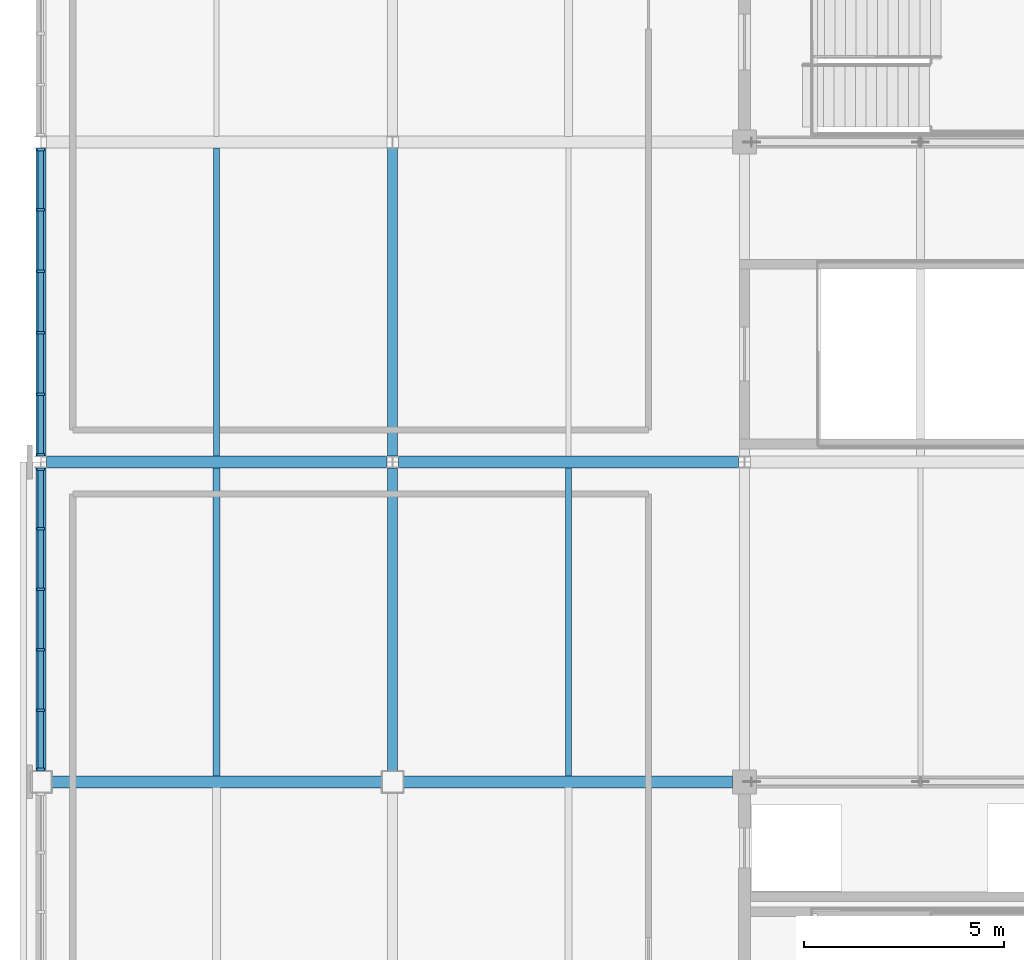
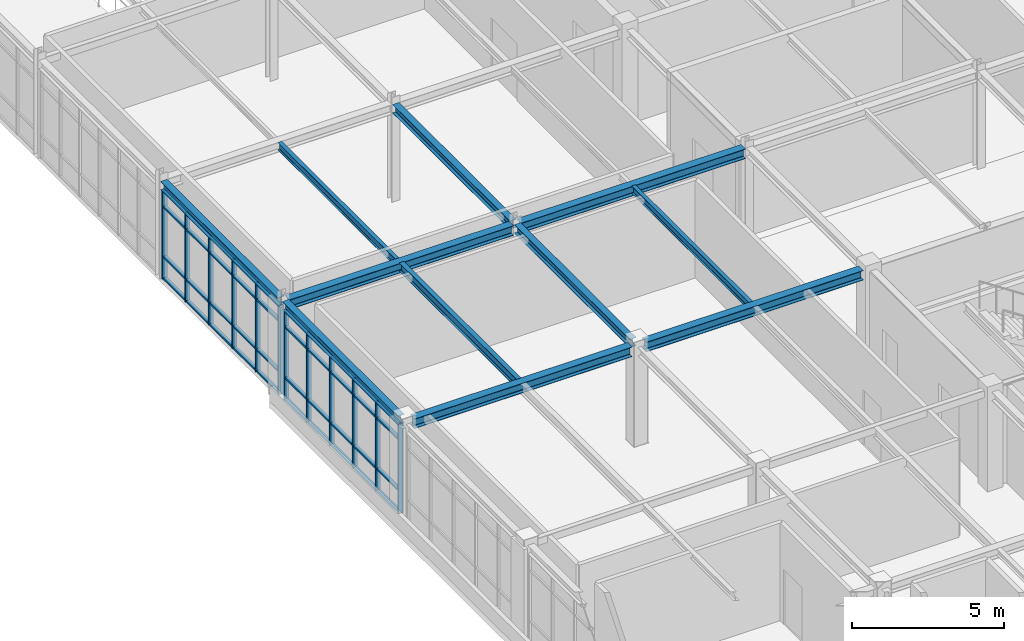
# One storey, part 26 of 88: 52 members, 11 beams, 2 elements without a shape of their own.
"""IFC4 building model written with IfcOpenShell, lengths in metres."""

from ifc_helpers import new_model, si_unit, direction, frame, origin, origin_2d, place, context, subcontext, project, spatial, rectangle, i_section, extrude, material, material_profile, profile_set, type_object, element, aggregate, save


model = new_model("IFC4")

# Units and contexts
model_context = context("Model", 3, precision=1e-05, world=origin(), true_north=direction((0.0, 1.0)))
body_context = subcontext(model_context, "Body", "Model", "MODEL_VIEW")
ifc_project = project(units=[si_unit("LENGTHUNIT", "METRE"), si_unit("AREAUNIT", "SQUARE_METRE"), si_unit("VOLUMEUNIT", "CUBIC_METRE"), si_unit("PLANEANGLEUNIT", "RADIAN"), si_unit("MASSUNIT", "GRAM", prefix="KILO")], contexts=[model_context])

# Site, building, storey
site_placement = place(None, origin())
site = spatial("IfcSite", under=ifc_project, at=site_placement, CompositionType="ELEMENT")
building_placement = place(site_placement, origin())
building = spatial("IfcBuilding", under=site, at=building_placement, Name="Zhaolan Boulevard Law Courts", CompositionType="ELEMENT")
storey_placement = place(building_placement, frame((0.0, 0.0, 16.199951171875)))
storey = spatial("IfcBuildingStorey", under=building, at=storey_placement, Name="L03", CompositionType="ELEMENT", Elevation=16.199951171875)

# Curtain wall, members
ifc_material_1 = material(Name="Thermally broken aluminium and low-E glazing", Category="aluminium")
curtain_wall_type_1 = type_object("IfcCurtainWallType", Name="CURTAIN WALL M3", PredefinedType="USERDEFINED", material=ifc_material_1)
curtain_wall_1_placement = place(storey_placement, origin())
curtain_wall_1 = element("IfcCurtainWall", 1, at=curtain_wall_1_placement, inside=storey, type_object=curtain_wall_type_1, Name="Curtain Wall CW-L03-123", ObjectType="CURTAIN WALL", PredefinedType="USERDEFINED")
ifc_material_2 = material(Name="Fluorocarbon-coated aluminium 6063-T6", Category="aluminium")
ifc_material_profile_1 = material_profile(ifc_material_2, rectangle(XDim=0.179931640625, YDim=0.06494140625, at=origin_2d()), Name="AL65x180")
ifc_profile_set_1 = profile_set([ifc_material_profile_1], Name="Fluorocarbon-coated aluminium 6063-T6")
member_type_1 = type_object("IfcMemberType", Name="CWMULLION 65X180", PredefinedType="MULLION", material=ifc_profile_set_1)
member_1_placement = place(storey_placement, frame((0.0, 85.8154296875, 0.0), z_axis=(0.0, 0.0, 1.0), x_axis=(1.0, 0.0, 0.0)))
member_1 = element("IfcMember", 2, at=member_1_placement, type_object=member_type_1, Name="CW-L03-123 mullion 1", PredefinedType="MULLION", context=body_context, shape_type="SweptSolid", body=[
    extrude(rectangle(XDim=0.179931640625, YDim=0.06494140625, at=origin_2d()), origin(), (0.0, 0.0, 1.0), 3.56298828125),
])
member_2_placement = place(storey_placement, frame((0.0, 84.308837890625, 0.0), z_axis=(0.0, 0.0, 1.0), x_axis=(1.0, 0.0, 0.0)))
member_2 = element("IfcMember", 3, at=member_2_placement, type_object=member_type_1, Name="CW-L03-123 mullion 2", PredefinedType="MULLION", context=body_context, shape_type="SweptSolid", body=[
    extrude(rectangle(XDim=0.179931640625, YDim=0.06494140625, at=origin_2d()), origin(), (0.0, 0.0, 1.0), 3.56298828125),
])
member_3_placement = place(storey_placement, frame((0.0, 82.76953125, 0.0), z_axis=(0.0, 0.0, 1.0), x_axis=(1.0, 0.0, 0.0)))
member_3 = element("IfcMember", 4, at=member_3_placement, type_object=member_type_1, Name="CW-L03-123 mullion 3", PredefinedType="MULLION", context=body_context, shape_type="SweptSolid", body=[
    extrude(rectangle(XDim=0.179931640625, YDim=0.06494140625, at=origin_2d()), origin(), (0.0, 0.0, 1.0), 3.56298828125),
])
member_4_placement = place(storey_placement, frame((0.0, 81.23046875, 0.0), z_axis=(0.0, 0.0, 1.0), x_axis=(1.0, 0.0, 0.0)))
member_4 = element("IfcMember", 5, at=member_4_placement, type_object=member_type_1, Name="CW-L03-123 mullion 4", PredefinedType="MULLION", context=body_context, shape_type="SweptSolid", body=[
    extrude(rectangle(XDim=0.179931640625, YDim=0.06494140625, at=origin_2d()), origin(), (0.0, 0.0, 1.0), 3.56298828125),
])
member_5_placement = place(storey_placement, frame((0.0, 79.691162109375, 0.0), z_axis=(0.0, 0.0, 1.0), x_axis=(1.0, 0.0, 0.0)))
member_5 = element("IfcMember", 6, at=member_5_placement, type_object=member_type_1, Name="CW-L03-123 mullion 5", PredefinedType="MULLION", context=body_context, shape_type="SweptSolid", body=[
    extrude(rectangle(XDim=0.179931640625, YDim=0.06494140625, at=origin_2d()), origin(), (0.0, 0.0, 1.0), 3.56298828125),
])
member_6_placement = place(storey_placement, frame((0.0, 78.1845703125, 0.0), z_axis=(0.0, 0.0, 1.0), x_axis=(1.0, 0.0, 0.0)))
member_6 = element("IfcMember", 7, at=member_6_placement, type_object=member_type_1, Name="CW-L03-123 mullion 6", PredefinedType="MULLION", context=body_context, shape_type="SweptSolid", body=[
    extrude(rectangle(XDim=0.179931640625, YDim=0.06494140625, at=origin_2d()), origin(), (0.0, 0.0, 1.0), 3.56298828125),
])

ifc_material_3 = material(Name="Thermally broken aluminium and low-E glazing", Category="aluminium")
curtain_wall_type_2 = type_object("IfcCurtainWallType", Name="CURTAIN WALL M10", PredefinedType="USERDEFINED", material=ifc_material_3)
curtain_wall_2_placement = place(storey_placement, origin())
curtain_wall_2 = element("IfcCurtainWall", 8, at=curtain_wall_2_placement, inside=storey, type_object=curtain_wall_type_2, Name="Curtain Wall CW-L03-178", ObjectType="CURTAIN WALL", PredefinedType="USERDEFINED")
member_7_placement = place(storey_placement, frame((0.0, 77.8154296875, 0.0), z_axis=(0.0, 0.0, 1.0), x_axis=(1.0, 0.0, 0.0)))
member_7 = element("IfcMember", 9, at=member_7_placement, type_object=member_type_1, Name="CW-L03-178 mullion 1", PredefinedType="MULLION", context=body_context, shape_type="SweptSolid", body=[
    extrude(rectangle(XDim=0.179931640625, YDim=0.06494140625, at=origin_2d()), origin(), (0.0, 0.0, 1.0), 3.593017578125),
])
member_8_placement = place(storey_placement, frame((0.0, 76.333740234375, 0.0), z_axis=(0.0, 0.0, 1.0), x_axis=(1.0, 0.0, 0.0)))
member_8 = element("IfcMember", 10, at=member_8_placement, type_object=member_type_1, Name="CW-L03-178 mullion 2", PredefinedType="MULLION", context=body_context, shape_type="SweptSolid", body=[
    extrude(rectangle(XDim=0.179931640625, YDim=0.06494140625, at=origin_2d()), origin(), (0.0, 0.0, 1.0), 3.593017578125),
])
member_9_placement = place(storey_placement, frame((0.0, 74.819580078125, 0.0), z_axis=(0.0, 0.0, 1.0), x_axis=(1.0, 0.0, 0.0)))
member_9 = element("IfcMember", 11, at=member_9_placement, type_object=member_type_1, Name="CW-L03-178 mullion 3", PredefinedType="MULLION", context=body_context, shape_type="SweptSolid", body=[
    extrude(rectangle(XDim=0.179931640625, YDim=0.06494140625, at=origin_2d()), origin(), (0.0, 0.0, 1.0), 3.593017578125),
])
member_10_placement = place(storey_placement, frame((0.0, 73.305419921875, 0.0), z_axis=(0.0, 0.0, 1.0), x_axis=(1.0, 0.0, 0.0)))
member_10 = element("IfcMember", 12, at=member_10_placement, type_object=member_type_1, Name="CW-L03-178 mullion 4", PredefinedType="MULLION", context=body_context, shape_type="SweptSolid", body=[
    extrude(rectangle(XDim=0.179931640625, YDim=0.06494140625, at=origin_2d()), origin(), (0.0, 0.0, 1.0), 3.593017578125),
])
member_11_placement = place(storey_placement, frame((0.0, 71.791259765625, 0.0), z_axis=(0.0, 0.0, 1.0), x_axis=(1.0, 0.0, 0.0)))
member_11 = element("IfcMember", 13, at=member_11_placement, type_object=member_type_1, Name="CW-L03-178 mullion 5", PredefinedType="MULLION", context=body_context, shape_type="SweptSolid", body=[
    extrude(rectangle(XDim=0.179931640625, YDim=0.06494140625, at=origin_2d()), origin(), (0.0, 0.0, 1.0), 3.593017578125),
])
member_12_placement = place(storey_placement, frame((0.0, 70.3095703125, 0.0), z_axis=(0.0, 0.0, 1.0), x_axis=(1.0, 0.0, 0.0)))
member_12 = element("IfcMember", 14, at=member_12_placement, type_object=member_type_1, Name="CW-L03-178 mullion 6", PredefinedType="MULLION", context=body_context, shape_type="SweptSolid", body=[
    extrude(rectangle(XDim=0.179931640625, YDim=0.06494140625, at=origin_2d()), origin(), (0.0, 0.0, 1.0), 3.593017578125),
])

# Member
ifc_material_4 = material(Name="Fluorocarbon-coated aluminium 6063-T6", Category="aluminium")
ifc_material_profile_2 = material_profile(ifc_material_4, rectangle(XDim=0.139892578125, YDim=0.06494140625, at=origin_2d()), Name="AL65x140")
ifc_profile_set_2 = profile_set([ifc_material_profile_2], Name="Fluorocarbon-coated aluminium 6063-T6")
member_type_2 = type_object("IfcMemberType", Name="CWTRANSOM 65X140", PredefinedType="USERDEFINED", material=ifc_profile_set_2)
member_13_placement = place(storey_placement, frame((0.0, 85.782958984375, 0.032470703125), z_axis=(0.0, -1.0, 0.0), x_axis=(1.0, 0.0, 0.0)))
member_13 = element("IfcMember", 15, at=member_13_placement, type_object=member_type_2, Name="CW-L03-123 transom 1.1", ObjectType="TRANSOM", PredefinedType="USERDEFINED", context=body_context, shape_type="SweptSolid", body=[
    extrude(rectangle(XDim=0.139892578125, YDim=0.06494140625, at=origin_2d()), origin(), (0.0, 0.0, 1.0), 1.441650390625),
])

member_14_placement = place(storey_placement, frame((0.0, 85.782958984375, 0.900146484375), z_axis=(0.0, -1.0, 0.0), x_axis=(1.0, 0.0, 0.0)))
member_14 = element("IfcMember", 16, at=member_14_placement, type_object=member_type_2, Name="CW-L03-123 transom 1.2", ObjectType="TRANSOM", PredefinedType="USERDEFINED", context=body_context, shape_type="SweptSolid", body=[
    extrude(rectangle(XDim=0.139892578125, YDim=0.06494140625, at=origin_2d()), origin(), (0.0, 0.0, 1.0), 1.441650390625),
])

member_15_placement = place(storey_placement, frame((0.0, 85.782958984375, 2.9130859375), z_axis=(0.0, -1.0, 0.0), x_axis=(1.0, 0.0, 0.0)))
member_15 = element("IfcMember", 17, at=member_15_placement, type_object=member_type_2, Name="CW-L03-123 transom 1.3", ObjectType="TRANSOM", PredefinedType="USERDEFINED", context=body_context, shape_type="SweptSolid", body=[
    extrude(rectangle(XDim=0.139892578125, YDim=0.06494140625, at=origin_2d()), origin(), (0.0, 0.0, 1.0), 1.441650390625),
])

member_16_placement = place(storey_placement, frame((0.0, 85.782958984375, 3.530517578125), z_axis=(0.0, -1.0, 0.0), x_axis=(1.0, 0.0, 0.0)))
member_16 = element("IfcMember", 18, at=member_16_placement, type_object=member_type_2, Name="CW-L03-123 transom 1.4", ObjectType="TRANSOM", PredefinedType="USERDEFINED", context=body_context, shape_type="SweptSolid", body=[
    extrude(rectangle(XDim=0.139892578125, YDim=0.06494140625, at=origin_2d()), origin(), (0.0, 0.0, 1.0), 1.441650390625),
])

member_17_placement = place(storey_placement, frame((0.0, 84.2763671875, 0.032470703125), z_axis=(0.0, -1.0, 0.0), x_axis=(1.0, 0.0, 0.0)))
member_17 = element("IfcMember", 19, at=member_17_placement, type_object=member_type_2, Name="CW-L03-123 transom 2.1", ObjectType="TRANSOM", PredefinedType="USERDEFINED", context=body_context, shape_type="SweptSolid", body=[
    extrude(rectangle(XDim=0.139892578125, YDim=0.06494140625, at=origin_2d()), origin(), (0.0, 0.0, 1.0), 1.474365234375),
])

member_18_placement = place(storey_placement, frame((0.0, 84.2763671875, 0.900146484375), z_axis=(0.0, -1.0, 0.0), x_axis=(1.0, 0.0, 0.0)))
member_18 = element("IfcMember", 20, at=member_18_placement, type_object=member_type_2, Name="CW-L03-123 transom 2.2", ObjectType="TRANSOM", PredefinedType="USERDEFINED", context=body_context, shape_type="SweptSolid", body=[
    extrude(rectangle(XDim=0.139892578125, YDim=0.06494140625, at=origin_2d()), origin(), (0.0, 0.0, 1.0), 1.474365234375),
])

member_19_placement = place(storey_placement, frame((0.0, 84.2763671875, 2.9130859375), z_axis=(0.0, -1.0, 0.0), x_axis=(1.0, 0.0, 0.0)))
member_19 = element("IfcMember", 21, at=member_19_placement, type_object=member_type_2, Name="CW-L03-123 transom 2.3", ObjectType="TRANSOM", PredefinedType="USERDEFINED", context=body_context, shape_type="SweptSolid", body=[
    extrude(rectangle(XDim=0.139892578125, YDim=0.06494140625, at=origin_2d()), origin(), (0.0, 0.0, 1.0), 1.474365234375),
])

member_20_placement = place(storey_placement, frame((0.0, 84.2763671875, 3.530517578125), z_axis=(0.0, -1.0, 0.0), x_axis=(1.0, 0.0, 0.0)))
member_20 = element("IfcMember", 22, at=member_20_placement, type_object=member_type_2, Name="CW-L03-123 transom 2.4", ObjectType="TRANSOM", PredefinedType="USERDEFINED", context=body_context, shape_type="SweptSolid", body=[
    extrude(rectangle(XDim=0.139892578125, YDim=0.06494140625, at=origin_2d()), origin(), (0.0, 0.0, 1.0), 1.474365234375),
])

member_21_placement = place(storey_placement, frame((0.0, 82.737060546875, 0.032470703125), z_axis=(0.0, -1.0, 0.0), x_axis=(1.0, 0.0, 0.0)))
member_21 = element("IfcMember", 23, at=member_21_placement, type_object=member_type_2, Name="CW-L03-123 transom 3.1", ObjectType="TRANSOM", PredefinedType="USERDEFINED", context=body_context, shape_type="SweptSolid", body=[
    extrude(rectangle(XDim=0.139892578125, YDim=0.06494140625, at=origin_2d()), origin(), (0.0, 0.0, 1.0), 1.47412109375),
])

member_22_placement = place(storey_placement, frame((0.0, 82.737060546875, 0.900146484375), z_axis=(0.0, -1.0, 0.0), x_axis=(1.0, 0.0, 0.0)))
member_22 = element("IfcMember", 24, at=member_22_placement, type_object=member_type_2, Name="CW-L03-123 transom 3.2", ObjectType="TRANSOM", PredefinedType="USERDEFINED", context=body_context, shape_type="SweptSolid", body=[
    extrude(rectangle(XDim=0.139892578125, YDim=0.06494140625, at=origin_2d()), origin(), (0.0, 0.0, 1.0), 1.47412109375),
])

member_23_placement = place(storey_placement, frame((0.0, 82.737060546875, 2.9130859375), z_axis=(0.0, -1.0, 0.0), x_axis=(1.0, 0.0, 0.0)))
member_23 = element("IfcMember", 25, at=member_23_placement, type_object=member_type_2, Name="CW-L03-123 transom 3.3", ObjectType="TRANSOM", PredefinedType="USERDEFINED", context=body_context, shape_type="SweptSolid", body=[
    extrude(rectangle(XDim=0.139892578125, YDim=0.06494140625, at=origin_2d()), origin(), (0.0, 0.0, 1.0), 1.47412109375),
])

member_24_placement = place(storey_placement, frame((0.0, 82.737060546875, 3.530517578125), z_axis=(0.0, -1.0, 0.0), x_axis=(1.0, 0.0, 0.0)))
member_24 = element("IfcMember", 26, at=member_24_placement, type_object=member_type_2, Name="CW-L03-123 transom 3.4", ObjectType="TRANSOM", PredefinedType="USERDEFINED", context=body_context, shape_type="SweptSolid", body=[
    extrude(rectangle(XDim=0.139892578125, YDim=0.06494140625, at=origin_2d()), origin(), (0.0, 0.0, 1.0), 1.47412109375),
])

member_25_placement = place(storey_placement, frame((0.0, 81.197998046875, 0.032470703125), z_axis=(0.0, -1.0, 0.0), x_axis=(1.0, 0.0, 0.0)))
member_25 = element("IfcMember", 27, at=member_25_placement, type_object=member_type_2, Name="CW-L03-123 transom 4.1", ObjectType="TRANSOM", PredefinedType="USERDEFINED", context=body_context, shape_type="SweptSolid", body=[
    extrude(rectangle(XDim=0.139892578125, YDim=0.06494140625, at=origin_2d()), origin(), (0.0, 0.0, 1.0), 1.474365234375),
])

member_26_placement = place(storey_placement, frame((0.0, 81.197998046875, 0.900146484375), z_axis=(0.0, -1.0, 0.0), x_axis=(1.0, 0.0, 0.0)))
member_26 = element("IfcMember", 28, at=member_26_placement, type_object=member_type_2, Name="CW-L03-123 transom 4.2", ObjectType="TRANSOM", PredefinedType="USERDEFINED", context=body_context, shape_type="SweptSolid", body=[
    extrude(rectangle(XDim=0.139892578125, YDim=0.06494140625, at=origin_2d()), origin(), (0.0, 0.0, 1.0), 1.474365234375),
])

member_27_placement = place(storey_placement, frame((0.0, 81.197998046875, 2.9130859375), z_axis=(0.0, -1.0, 0.0), x_axis=(1.0, 0.0, 0.0)))
member_27 = element("IfcMember", 29, at=member_27_placement, type_object=member_type_2, Name="CW-L03-123 transom 4.3", ObjectType="TRANSOM", PredefinedType="USERDEFINED", context=body_context, shape_type="SweptSolid", body=[
    extrude(rectangle(XDim=0.139892578125, YDim=0.06494140625, at=origin_2d()), origin(), (0.0, 0.0, 1.0), 1.474365234375),
])

member_28_placement = place(storey_placement, frame((0.0, 81.197998046875, 3.530517578125), z_axis=(0.0, -1.0, 0.0), x_axis=(1.0, 0.0, 0.0)))
member_28 = element("IfcMember", 30, at=member_28_placement, type_object=member_type_2, Name="CW-L03-123 transom 4.4", ObjectType="TRANSOM", PredefinedType="USERDEFINED", context=body_context, shape_type="SweptSolid", body=[
    extrude(rectangle(XDim=0.139892578125, YDim=0.06494140625, at=origin_2d()), origin(), (0.0, 0.0, 1.0), 1.474365234375),
])

member_29_placement = place(storey_placement, frame((0.0, 79.65869140625, 0.032470703125), z_axis=(0.0, -1.0, 0.0), x_axis=(1.0, 0.0, 0.0)))
member_29 = element("IfcMember", 31, at=member_29_placement, type_object=member_type_2, Name="CW-L03-123 transom 5.1", ObjectType="TRANSOM", PredefinedType="USERDEFINED", context=body_context, shape_type="SweptSolid", body=[
    extrude(rectangle(XDim=0.139892578125, YDim=0.06494140625, at=origin_2d()), origin(), (0.0, 0.0, 1.0), 1.441650390625),
])

member_30_placement = place(storey_placement, frame((0.0, 79.65869140625, 0.900146484375), z_axis=(0.0, -1.0, 0.0), x_axis=(1.0, 0.0, 0.0)))
member_30 = element("IfcMember", 32, at=member_30_placement, type_object=member_type_2, Name="CW-L03-123 transom 5.2", ObjectType="TRANSOM", PredefinedType="USERDEFINED", context=body_context, shape_type="SweptSolid", body=[
    extrude(rectangle(XDim=0.139892578125, YDim=0.06494140625, at=origin_2d()), origin(), (0.0, 0.0, 1.0), 1.441650390625),
])

member_31_placement = place(storey_placement, frame((0.0, 79.65869140625, 2.9130859375), z_axis=(0.0, -1.0, 0.0), x_axis=(1.0, 0.0, 0.0)))
member_31 = element("IfcMember", 33, at=member_31_placement, type_object=member_type_2, Name="CW-L03-123 transom 5.3", ObjectType="TRANSOM", PredefinedType="USERDEFINED", context=body_context, shape_type="SweptSolid", body=[
    extrude(rectangle(XDim=0.139892578125, YDim=0.06494140625, at=origin_2d()), origin(), (0.0, 0.0, 1.0), 1.441650390625),
])

member_32_placement = place(storey_placement, frame((0.0, 79.65869140625, 3.530517578125), z_axis=(0.0, -1.0, 0.0), x_axis=(1.0, 0.0, 0.0)))
member_32 = element("IfcMember", 34, at=member_32_placement, type_object=member_type_2, Name="CW-L03-123 transom 5.4", ObjectType="TRANSOM", PredefinedType="USERDEFINED", context=body_context, shape_type="SweptSolid", body=[
    extrude(rectangle(XDim=0.139892578125, YDim=0.06494140625, at=origin_2d()), origin(), (0.0, 0.0, 1.0), 1.441650390625),
])

aggregate(curtain_wall_1, [member_1, member_2, member_3, member_4, member_5, member_6, member_13, member_14, member_15, member_16, member_17, member_18, member_19, member_20, member_21, member_22, member_23, member_24, member_25, member_26, member_27, member_28, member_29, member_30, member_31, member_32])

member_33_placement = place(storey_placement, frame((0.0, 77.782958984375, 0.032470703125), z_axis=(0.0, -1.0, 0.0), x_axis=(1.0, 0.0, 0.0)))
member_33 = element("IfcMember", 35, at=member_33_placement, type_object=member_type_2, Name="CW-L03-178 transom 1.1", ObjectType="TRANSOM", PredefinedType="USERDEFINED", context=body_context, shape_type="SweptSolid", body=[
    extrude(rectangle(XDim=0.139892578125, YDim=0.06494140625, at=origin_2d()), origin(), (0.0, 0.0, 1.0), 1.416748046875),
])

member_34_placement = place(storey_placement, frame((0.0, 77.782958984375, 0.900146484375), z_axis=(0.0, -1.0, 0.0), x_axis=(1.0, 0.0, 0.0)))
member_34 = element("IfcMember", 36, at=member_34_placement, type_object=member_type_2, Name="CW-L03-178 transom 1.2", ObjectType="TRANSOM", PredefinedType="USERDEFINED", context=body_context, shape_type="SweptSolid", body=[
    extrude(rectangle(XDim=0.139892578125, YDim=0.06494140625, at=origin_2d()), origin(), (0.0, 0.0, 1.0), 1.416748046875),
])

member_35_placement = place(storey_placement, frame((0.0, 77.782958984375, 2.943115234375), z_axis=(0.0, -1.0, 0.0), x_axis=(1.0, 0.0, 0.0)))
member_35 = element("IfcMember", 37, at=member_35_placement, type_object=member_type_2, Name="CW-L03-178 transom 1.3", ObjectType="TRANSOM", PredefinedType="USERDEFINED", context=body_context, shape_type="SweptSolid", body=[
    extrude(rectangle(XDim=0.139892578125, YDim=0.06494140625, at=origin_2d()), origin(), (0.0, 0.0, 1.0), 1.416748046875),
])

member_36_placement = place(storey_placement, frame((0.0, 77.782958984375, 3.560546875), z_axis=(0.0, -1.0, 0.0), x_axis=(1.0, 0.0, 0.0)))
member_36 = element("IfcMember", 38, at=member_36_placement, type_object=member_type_2, Name="CW-L03-178 transom 1.4", ObjectType="TRANSOM", PredefinedType="USERDEFINED", context=body_context, shape_type="SweptSolid", body=[
    extrude(rectangle(XDim=0.139892578125, YDim=0.06494140625, at=origin_2d()), origin(), (0.0, 0.0, 1.0), 1.416748046875),
])

member_37_placement = place(storey_placement, frame((0.0, 76.30126953125, 0.032470703125), z_axis=(0.0, -1.0, 0.0), x_axis=(1.0, 0.0, 0.0)))
member_37 = element("IfcMember", 39, at=member_37_placement, type_object=member_type_2, Name="CW-L03-178 transom 2.1", ObjectType="TRANSOM", PredefinedType="USERDEFINED", context=body_context, shape_type="SweptSolid", body=[
    extrude(rectangle(XDim=0.139892578125, YDim=0.06494140625, at=origin_2d()), origin(), (0.0, 0.0, 1.0), 1.44921875),
])

member_38_placement = place(storey_placement, frame((0.0, 76.30126953125, 0.900146484375), z_axis=(0.0, -1.0, 0.0), x_axis=(1.0, 0.0, 0.0)))
member_38 = element("IfcMember", 40, at=member_38_placement, type_object=member_type_2, Name="CW-L03-178 transom 2.2", ObjectType="TRANSOM", PredefinedType="USERDEFINED", context=body_context, shape_type="SweptSolid", body=[
    extrude(rectangle(XDim=0.139892578125, YDim=0.06494140625, at=origin_2d()), origin(), (0.0, 0.0, 1.0), 1.44921875),
])

member_39_placement = place(storey_placement, frame((0.0, 76.30126953125, 2.943115234375), z_axis=(0.0, -1.0, 0.0), x_axis=(1.0, 0.0, 0.0)))
member_39 = element("IfcMember", 41, at=member_39_placement, type_object=member_type_2, Name="CW-L03-178 transom 2.3", ObjectType="TRANSOM", PredefinedType="USERDEFINED", context=body_context, shape_type="SweptSolid", body=[
    extrude(rectangle(XDim=0.139892578125, YDim=0.06494140625, at=origin_2d()), origin(), (0.0, 0.0, 1.0), 1.44921875),
])

member_40_placement = place(storey_placement, frame((0.0, 76.30126953125, 3.560546875), z_axis=(0.0, -1.0, 0.0), x_axis=(1.0, 0.0, 0.0)))
member_40 = element("IfcMember", 42, at=member_40_placement, type_object=member_type_2, Name="CW-L03-178 transom 2.4", ObjectType="TRANSOM", PredefinedType="USERDEFINED", context=body_context, shape_type="SweptSolid", body=[
    extrude(rectangle(XDim=0.139892578125, YDim=0.06494140625, at=origin_2d()), origin(), (0.0, 0.0, 1.0), 1.44921875),
])

member_41_placement = place(storey_placement, frame((0.0, 74.787109375, 0.032470703125), z_axis=(0.0, -1.0, 0.0), x_axis=(1.0, 0.0, 0.0)))
member_41 = element("IfcMember", 43, at=member_41_placement, type_object=member_type_2, Name="CW-L03-178 transom 3.1", ObjectType="TRANSOM", PredefinedType="USERDEFINED", context=body_context, shape_type="SweptSolid", body=[
    extrude(rectangle(XDim=0.139892578125, YDim=0.06494140625, at=origin_2d()), origin(), (0.0, 0.0, 1.0), 1.44921875),
])

member_42_placement = place(storey_placement, frame((0.0, 74.787109375, 0.900146484375), z_axis=(0.0, -1.0, 0.0), x_axis=(1.0, 0.0, 0.0)))
member_42 = element("IfcMember", 44, at=member_42_placement, type_object=member_type_2, Name="CW-L03-178 transom 3.2", ObjectType="TRANSOM", PredefinedType="USERDEFINED", context=body_context, shape_type="SweptSolid", body=[
    extrude(rectangle(XDim=0.139892578125, YDim=0.06494140625, at=origin_2d()), origin(), (0.0, 0.0, 1.0), 1.44921875),
])

member_43_placement = place(storey_placement, frame((0.0, 74.787109375, 2.943115234375), z_axis=(0.0, -1.0, 0.0), x_axis=(1.0, 0.0, 0.0)))
member_43 = element("IfcMember", 45, at=member_43_placement, type_object=member_type_2, Name="CW-L03-178 transom 3.3", ObjectType="TRANSOM", PredefinedType="USERDEFINED", context=body_context, shape_type="SweptSolid", body=[
    extrude(rectangle(XDim=0.139892578125, YDim=0.06494140625, at=origin_2d()), origin(), (0.0, 0.0, 1.0), 1.44921875),
])

member_44_placement = place(storey_placement, frame((0.0, 74.787109375, 3.560546875), z_axis=(0.0, -1.0, 0.0), x_axis=(1.0, 0.0, 0.0)))
member_44 = element("IfcMember", 46, at=member_44_placement, type_object=member_type_2, Name="CW-L03-178 transom 3.4", ObjectType="TRANSOM", PredefinedType="USERDEFINED", context=body_context, shape_type="SweptSolid", body=[
    extrude(rectangle(XDim=0.139892578125, YDim=0.06494140625, at=origin_2d()), origin(), (0.0, 0.0, 1.0), 1.44921875),
])

member_45_placement = place(storey_placement, frame((0.0, 73.27294921875, 0.032470703125), z_axis=(0.0, -1.0, 0.0), x_axis=(1.0, 0.0, 0.0)))
member_45 = element("IfcMember", 47, at=member_45_placement, type_object=member_type_2, Name="CW-L03-178 transom 4.1", ObjectType="TRANSOM", PredefinedType="USERDEFINED", context=body_context, shape_type="SweptSolid", body=[
    extrude(rectangle(XDim=0.139892578125, YDim=0.06494140625, at=origin_2d()), origin(), (0.0, 0.0, 1.0), 1.44921875),
])

member_46_placement = place(storey_placement, frame((0.0, 73.27294921875, 0.900146484375), z_axis=(0.0, -1.0, 0.0), x_axis=(1.0, 0.0, 0.0)))
member_46 = element("IfcMember", 48, at=member_46_placement, type_object=member_type_2, Name="CW-L03-178 transom 4.2", ObjectType="TRANSOM", PredefinedType="USERDEFINED", context=body_context, shape_type="SweptSolid", body=[
    extrude(rectangle(XDim=0.139892578125, YDim=0.06494140625, at=origin_2d()), origin(), (0.0, 0.0, 1.0), 1.44921875),
])

member_47_placement = place(storey_placement, frame((0.0, 73.27294921875, 2.943115234375), z_axis=(0.0, -1.0, 0.0), x_axis=(1.0, 0.0, 0.0)))
member_47 = element("IfcMember", 49, at=member_47_placement, type_object=member_type_2, Name="CW-L03-178 transom 4.3", ObjectType="TRANSOM", PredefinedType="USERDEFINED", context=body_context, shape_type="SweptSolid", body=[
    extrude(rectangle(XDim=0.139892578125, YDim=0.06494140625, at=origin_2d()), origin(), (0.0, 0.0, 1.0), 1.44921875),
])

member_48_placement = place(storey_placement, frame((0.0, 73.27294921875, 3.560546875), z_axis=(0.0, -1.0, 0.0), x_axis=(1.0, 0.0, 0.0)))
member_48 = element("IfcMember", 50, at=member_48_placement, type_object=member_type_2, Name="CW-L03-178 transom 4.4", ObjectType="TRANSOM", PredefinedType="USERDEFINED", context=body_context, shape_type="SweptSolid", body=[
    extrude(rectangle(XDim=0.139892578125, YDim=0.06494140625, at=origin_2d()), origin(), (0.0, 0.0, 1.0), 1.44921875),
])

member_49_placement = place(storey_placement, frame((0.0, 71.7587890625, 0.032470703125), z_axis=(0.0, -1.0, 0.0), x_axis=(1.0, 0.0, 0.0)))
member_49 = element("IfcMember", 51, at=member_49_placement, type_object=member_type_2, Name="CW-L03-178 transom 5.1", ObjectType="TRANSOM", PredefinedType="USERDEFINED", context=body_context, shape_type="SweptSolid", body=[
    extrude(rectangle(XDim=0.139892578125, YDim=0.06494140625, at=origin_2d()), origin(), (0.0, 0.0, 1.0), 1.416748046875),
])

member_50_placement = place(storey_placement, frame((0.0, 71.7587890625, 0.900146484375), z_axis=(0.0, -1.0, 0.0), x_axis=(1.0, 0.0, 0.0)))
member_50 = element("IfcMember", 52, at=member_50_placement, type_object=member_type_2, Name="CW-L03-178 transom 5.2", ObjectType="TRANSOM", PredefinedType="USERDEFINED", context=body_context, shape_type="SweptSolid", body=[
    extrude(rectangle(XDim=0.139892578125, YDim=0.06494140625, at=origin_2d()), origin(), (0.0, 0.0, 1.0), 1.416748046875),
])

member_51_placement = place(storey_placement, frame((0.0, 71.7587890625, 2.943115234375), z_axis=(0.0, -1.0, 0.0), x_axis=(1.0, 0.0, 0.0)))
member_51 = element("IfcMember", 53, at=member_51_placement, type_object=member_type_2, Name="CW-L03-178 transom 5.3", ObjectType="TRANSOM", PredefinedType="USERDEFINED", context=body_context, shape_type="SweptSolid", body=[
    extrude(rectangle(XDim=0.139892578125, YDim=0.06494140625, at=origin_2d()), origin(), (0.0, 0.0, 1.0), 1.416748046875),
])

member_52_placement = place(storey_placement, frame((0.0, 71.7587890625, 3.560546875), z_axis=(0.0, -1.0, 0.0), x_axis=(1.0, 0.0, 0.0)))
member_52 = element("IfcMember", 54, at=member_52_placement, type_object=member_type_2, Name="CW-L03-178 transom 5.4", ObjectType="TRANSOM", PredefinedType="USERDEFINED", context=body_context, shape_type="SweptSolid", body=[
    extrude(rectangle(XDim=0.139892578125, YDim=0.06494140625, at=origin_2d()), origin(), (0.0, 0.0, 1.0), 1.416748046875),
])

aggregate(curtain_wall_2, [member_7, member_8, member_9, member_10, member_11, member_12, member_33, member_34, member_35, member_36, member_37, member_38, member_39, member_40, member_41, member_42, member_43, member_44, member_45, member_46, member_47, member_48, member_49, member_50, member_51, member_52])

# Beams
ifc_material_5 = material(Name="Structural steel Q355B", Category="steel")
ifc_material_profile_3 = material_profile(ifc_material_5, i_section(OverallWidth=0.25, OverallDepth=0.340087890625, WebThickness=0.009033203125, FlangeThickness=0.013916015625, FilletRadius=0.01611328125, at=origin_2d()), Name="HM340x250")
ifc_profile_set_3 = profile_set([ifc_material_profile_3], Name="Structural steel Q355B")
beam_type_1 = type_object("IfcBeamType", Name="GIRDER HM340", PredefinedType="BEAM", material=ifc_profile_set_3)
beam_1_placement = place(storey_placement, frame((0.0, 70.27099609375, 3.778076171875), z_axis=(0.0, 1.0, 0.0), x_axis=(-1.0, 0.0, 0.0)))
element("IfcBeam", 55, at=beam_1_placement, inside=storey, type_object=beam_type_1, Name="Beam BY-L04-1-K-L", PredefinedType="BEAM", context=body_context, shape_type="SweptSolid", body=[
    extrude(i_section(OverallWidth=0.25, OverallDepth=0.340087890625, WebThickness=0.009033203125, FlangeThickness=0.013916015625, FilletRadius=0.01611328125, at=origin_2d()), origin(), (0.0, 0.0, 1.0), 7.5830078125),
])
beam_2_placement = place(storey_placement, frame((0.0, 78.14599609375, 3.748046875), z_axis=(0.0, 1.0, 0.0), x_axis=(-1.0, 0.0, 0.0)))
element("IfcBeam", 56, at=beam_2_placement, inside=storey, type_object=beam_type_1, Name="Beam BY-L04-1-L-M", PredefinedType="BEAM", context=body_context, shape_type="SweptSolid", body=[
    extrude(i_section(OverallWidth=0.25, OverallDepth=0.340087890625, WebThickness=0.009033203125, FlangeThickness=0.013916015625, FilletRadius=0.01611328125, at=origin_2d()), origin(), (0.0, 0.0, 1.0), 7.7080078125),
])
beam_3_placement = place(storey_placement, frame((8.800048828125, 70.27099609375, 3.778076171875), z_axis=(0.0, 1.0, 0.0), x_axis=(-1.0, 0.0, 0.0)))
element("IfcBeam", 57, at=beam_3_placement, inside=storey, type_object=beam_type_1, Name="Beam BY-L04-2-K-L", PredefinedType="BEAM", context=body_context, shape_type="SweptSolid", body=[
    extrude(i_section(OverallWidth=0.25, OverallDepth=0.340087890625, WebThickness=0.009033203125, FlangeThickness=0.013916015625, FilletRadius=0.01611328125, at=origin_2d()), origin(), (0.0, 0.0, 1.0), 7.5830078125),
])
beam_4_placement = place(storey_placement, frame((8.800048828125, 78.14599609375, 3.748046875), z_axis=(0.0, 1.0, 0.0), x_axis=(-1.0, 0.0, 0.0)))
element("IfcBeam", 58, at=beam_4_placement, inside=storey, type_object=beam_type_1, Name="Beam BY-L04-2-L-M", PredefinedType="BEAM", context=body_context, shape_type="SweptSolid", body=[
    extrude(i_section(OverallWidth=0.25, OverallDepth=0.340087890625, WebThickness=0.009033203125, FlangeThickness=0.013916015625, FilletRadius=0.01611328125, at=origin_2d()), origin(), (0.0, 0.0, 1.0), 7.7080078125),
])
ifc_material_6 = material(Name="Structural steel Q355B", Category="steel")
ifc_material_profile_4 = material_profile(ifc_material_6, i_section(OverallWidth=0.300048828125, OverallDepth=0.389892578125, WebThickness=0.010009765625, FlangeThickness=0.01611328125, FilletRadius=0.01806640625, at=origin_2d()), Name="HM390x300")
ifc_profile_set_4 = profile_set([ifc_material_profile_4], Name="Structural steel Q355B")
beam_type_2 = type_object("IfcBeamType", Name="GIRDER HM390", PredefinedType="BEAM", material=ifc_profile_set_4)
beam_5_placement = place(storey_placement, frame((0.27099609375, 70.0, 3.7529296875), z_axis=(1.0, 0.0, 0.0), x_axis=(0.0, 1.0, 0.0)))
element("IfcBeam", 59, at=beam_5_placement, inside=storey, type_object=beam_type_2, Name="Beam BX-L04-1-2-K", PredefinedType="BEAM", context=body_context, shape_type="SweptSolid", body=[
    extrude(i_section(OverallWidth=0.300048828125, OverallDepth=0.389892578125, WebThickness=0.010009765625, FlangeThickness=0.01611328125, FilletRadius=0.01806640625, at=origin_2d()), origin(), (0.0, 0.0, 1.0), 8.258056640625),
])
beam_6_placement = place(storey_placement, frame((9.071044921875, 70.0, 3.7529296875), z_axis=(1.0, 0.0, 0.0), x_axis=(0.0, 1.0, 0.0)))
element("IfcBeam", 60, at=beam_6_placement, inside=storey, type_object=beam_type_2, Name="Beam BX-L04-2-3-K", PredefinedType="BEAM", context=body_context, shape_type="SweptSolid", body=[
    extrude(i_section(OverallWidth=0.300048828125, OverallDepth=0.389892578125, WebThickness=0.010009765625, FlangeThickness=0.01611328125, FilletRadius=0.01806640625, at=origin_2d()), origin(), (0.0, 0.0, 1.0), 8.23291015625),
])
for number, where, z_axis, x_axis, name in (
    (61, (0.14599609375, 78.0, 3.72314453125), (1.0, 0.0, 0.0), (0.0, 1.0, 0.0), "Beam BX-L04-1-2-L"),
    (62, (8.946044921875, 78.0, 3.72314453125), (1.0, 0.0, 0.0), (0.0, 1.0, 0.0), "Beam BX-L04-2-3-L"),
):
    element("IfcBeam", number, at=place(storey_placement, frame(where, z_axis=z_axis, x_axis=x_axis)), inside=storey, type_object=beam_type_2, Name=name, PredefinedType="BEAM", context=body_context, shape_type="SweptSolid", body=[
        extrude(i_section(OverallWidth=0.300048828125, OverallDepth=0.389892578125, WebThickness=0.010009765625, FlangeThickness=0.01611328125, FilletRadius=0.01806640625, at=origin_2d()), origin(), (0.0, 0.0, 1.0), 8.508056640625),
    ])
ifc_material_7 = material(Name="Structural steel Q355B", Category="steel")
ifc_material_profile_5 = material_profile(ifc_material_7, i_section(OverallWidth=0.14990234375, OverallDepth=0.300048828125, WebThickness=0.006591796875, FlangeThickness=0.009033203125, FilletRadius=0.010986328125, at=origin_2d()), Name="HN300x150")
ifc_profile_set_5 = profile_set([ifc_material_profile_5], Name="Structural steel Q355B")
beam_type_3 = type_object("IfcBeamType", Name="JOIST HN300", PredefinedType="JOIST", material=ifc_profile_set_5)
for number, where, z_axis, x_axis, name in (
    (63, (4.39990234375, 78.14599609375, 3.76806640625), (0.0, 1.0, 0.0), (-1.0, 0.0, 0.0), "Composite Joist J-L04-1L"),
    (64, (13.199951171875, 70.14599609375, 3.798095703125), (0.0, 1.0, 0.0), (-1.0, 0.0, 0.0), "Composite Joist J-L04-2K"),
):
    element("IfcBeam", number, at=place(storey_placement, frame(where, z_axis=z_axis, x_axis=x_axis)), inside=storey, type_object=beam_type_3, Name=name, PredefinedType="JOIST", context=body_context, shape_type="SweptSolid", body=[
        extrude(i_section(OverallWidth=0.14990234375, OverallDepth=0.300048828125, WebThickness=0.006591796875, FlangeThickness=0.009033203125, FilletRadius=0.010986328125, at=origin_2d()), origin(), (0.0, 0.0, 1.0), 7.7080078125),
    ])
ifc_material_8 = material(Name="Structural steel Q355B", Category="steel")
ifc_material_profile_6 = material_profile(ifc_material_8, i_section(OverallWidth=0.175048828125, OverallDepth=0.35009765625, WebThickness=0.007080078125, FlangeThickness=0.010986328125, FilletRadius=0.012939453125, at=origin_2d()), Name="HN350x175")
ifc_profile_set_6 = profile_set([ifc_material_profile_6], Name="Structural steel Q355B")
beam_type_4 = type_object("IfcBeamType", Name="JOIST HN350", PredefinedType="JOIST", material=ifc_profile_set_6)
beam_7_placement = place(storey_placement, frame((4.39990234375, 70.14599609375, 3.77294921875), z_axis=(0.0, 1.0, 0.0), x_axis=(-1.0, 0.0, 0.0)))
element("IfcBeam", 65, at=beam_7_placement, inside=storey, type_object=beam_type_4, Name="Composite Joist J-L04-1K", PredefinedType="JOIST", context=body_context, shape_type="SweptSolid", body=[
    extrude(i_section(OverallWidth=0.175048828125, OverallDepth=0.35009765625, WebThickness=0.007080078125, FlangeThickness=0.010986328125, FilletRadius=0.012939453125, at=origin_2d()), origin(), (0.0, 0.0, 1.0), 7.7080078125),
])

save(model, "model.ifc")
